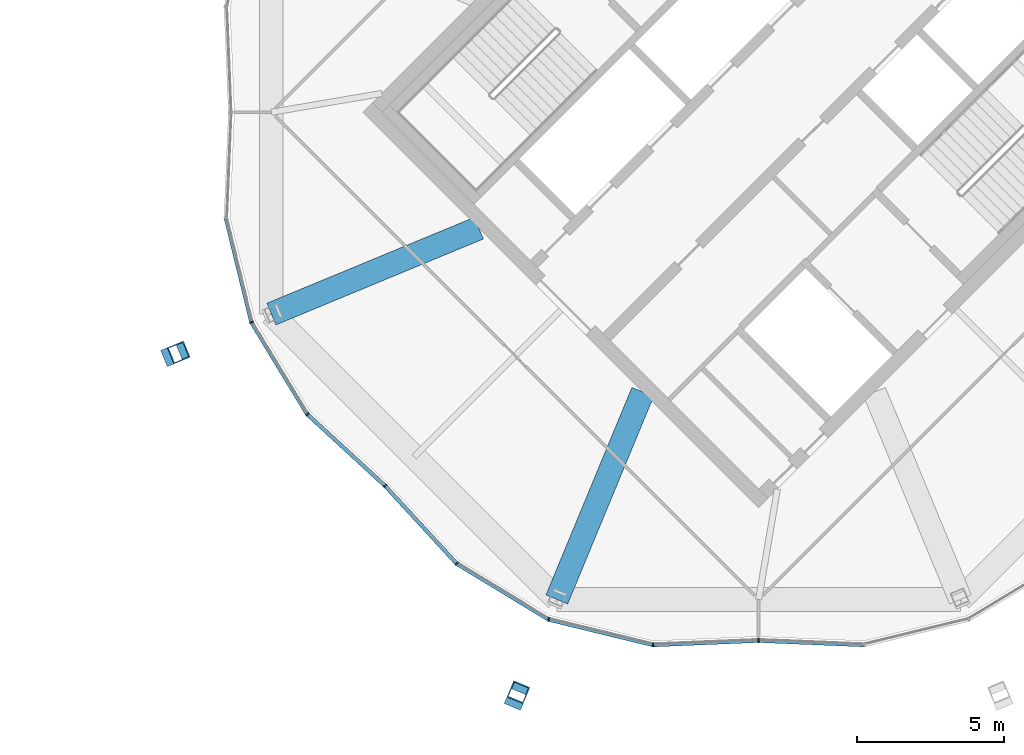
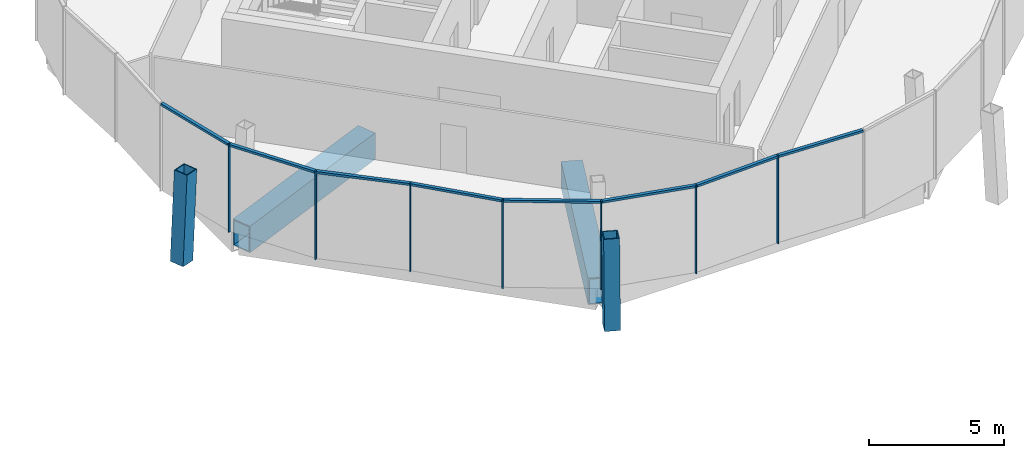
# One storey, part 8 of 22: 17 members, 2 beams, 3 elements without a shape of their own.
"""IFC4 building model written with IfcOpenShell, lengths in metres."""

from ifc_helpers import new_model, si_unit, direction, frame, origin, origin_2d, place, context, subcontext, project, spatial, rectangle, hollow_rectangle, extrude, material, material_profile, profile_set, type_object, element, aggregate, save


model = new_model("IFC4")

# Units and contexts
model_context = context("Model", 3, precision=1e-05, world=origin(), true_north=direction((0.0, 1.0)))
body_context = subcontext(model_context, "Body", "Model", "MODEL_VIEW")
ifc_project = project(units=[si_unit("LENGTHUNIT", "METRE"), si_unit("AREAUNIT", "SQUARE_METRE"), si_unit("VOLUMEUNIT", "CUBIC_METRE"), si_unit("PLANEANGLEUNIT", "RADIAN"), si_unit("MASSUNIT", "GRAM", prefix="KILO")], contexts=[model_context])

# Site, building, storey
site_placement = place(None, origin())
site = spatial("IfcSite", under=ifc_project, at=site_placement, CompositionType="ELEMENT")
building_placement = place(site_placement, origin())
building = spatial("IfcBuilding", under=site, at=building_placement, Name="Ogive Gate Towers", CompositionType="ELEMENT")
storey_placement = place(building_placement, frame((0.0, 0.0, 298.0)))
storey = spatial("IfcBuildingStorey", under=building, at=storey_placement, Name="L70", CompositionType="ELEMENT", Elevation=298.0)

# Curtain wall, members
ifc_material_1 = material(Name="Pale metal aluminium", Category="aluminium")
curtain_wall_type = type_object("IfcCurtainWallType", Name="Crown lean wall", PredefinedType="NOTDEFINED", material=ifc_material_1)
curtain_wall_1_placement = place(storey_placement, origin())
curtain_wall_1 = element("IfcCurtainWall", 1, at=curtain_wall_1_placement, inside=storey, type_object=curtain_wall_type, Name="CW5 T2 ECW05", PredefinedType="NOTDEFINED")
ifc_material_profile_1 = material_profile(ifc_material_1, rectangle(XDim=0.139892578125, YDim=0.050048828125, at=origin_2d()), Name="50 x 140 aluminium box")
ifc_profile_set_1 = profile_set([ifc_material_profile_1], Name="Pale metal aluminium")
member_type_1 = type_object("IfcMemberType", Name="Crown lean wall mullion 50 x 140", PredefinedType="MULLION", material=ifc_profile_set_1)
member_1_placement = place(storey_placement, frame((23.3154296875, -12.686279296875, -0.300048828125), z_axis=(0.0, 0.0, 1.0), x_axis=(0.677184245918, 0.735813493407, 0.0)))
member_1 = element("IfcMember", 2, at=member_1_placement, type_object=member_type_1, Name="CW5 mullion", PredefinedType="MULLION", context=body_context, shape_type="SweptSolid", body=[
    extrude(rectangle(XDim=0.139892578125, YDim=0.050048828125, at=origin_2d()), origin(), (0.0, 0.0, 1.0), 4.0),
])
member_2_placement = place(storey_placement, frame((20.674560546875, -10.255615234375, -0.300048828125), z_axis=(0.0, 0.0, 1.0), x_axis=(0.77351952775, 0.633772467207, 0.0)))
member_2 = element("IfcMember", 3, at=member_2_placement, type_object=member_type_1, Name="CW5 mullion", PredefinedType="MULLION", context=body_context, shape_type="SweptSolid", body=[
    extrude(rectangle(XDim=0.139892578125, YDim=0.050048828125, at=origin_2d()), origin(), (0.0, 0.0, 1.0), 4.0),
])
member_3_placement = place(storey_placement, frame((18.77783203125, -7.1337890625, -0.300048828125), z_axis=(0.0, 0.0, 1.0), x_axis=(0.923879532511, 0.382683432365, 0.0)))
member_3 = element("IfcMember", 4, at=member_3_placement, type_object=member_type_1, Name="CW5 mullion", PredefinedType="MULLION", context=body_context, shape_type="SweptSolid", body=[
    extrude(rectangle(XDim=0.139892578125, YDim=0.050048828125, at=origin_2d()), origin(), (0.0, 0.0, 1.0), 4.0),
])

curtain_wall_2_placement = place(storey_placement, origin())
curtain_wall_2 = element("IfcCurtainWall", 5, at=curtain_wall_2_placement, inside=storey, type_object=curtain_wall_type, Name="CW5 T2 ECW06", PredefinedType="NOTDEFINED")
member_4_placement = place(storey_placement, frame((36.001220703125, -17.940185546875, -0.300048828125), z_axis=(0.0, 0.0, 1.0), x_axis=(-0.041439700181, 0.99914100669, 0.0)))
member_4 = element("IfcMember", 6, at=member_4_placement, type_object=member_type_1, Name="CW5 mullion", PredefinedType="MULLION", context=body_context, shape_type="SweptSolid", body=[
    extrude(rectangle(XDim=0.139892578125, YDim=0.050048828125, at=origin_2d()), origin(), (0.0, 0.0, 1.0), 4.0),
])
member_5_placement = place(storey_placement, frame((32.414794921875, -18.088623046875, -0.300048828125), z_axis=(0.0, 0.0, 1.0), x_axis=(0.098833462017, 0.995103987926, 0.0)))
member_5 = element("IfcMember", 7, at=member_5_placement, type_object=member_type_1, Name="CW5 mullion", PredefinedType="MULLION", context=body_context, shape_type="SweptSolid", body=[
    extrude(rectangle(XDim=0.139892578125, YDim=0.050048828125, at=origin_2d()), origin(), (0.0, 0.0, 1.0), 4.0),
])
member_6_placement = place(storey_placement, frame((28.8662109375, -17.22216796875, -0.300048828125), z_axis=(0.0, 0.0, 1.0), x_axis=(0.382683432365, 0.923879532511, 0.0)))
member_6 = element("IfcMember", 8, at=member_6_placement, type_object=member_type_1, Name="CW5 mullion", PredefinedType="MULLION", context=body_context, shape_type="SweptSolid", body=[
    extrude(rectangle(XDim=0.139892578125, YDim=0.050048828125, at=origin_2d()), origin(), (0.0, 0.0, 1.0), 4.0),
])
member_7_placement = place(storey_placement, frame((25.744384765625, -15.325439453125, -0.300048828125), z_axis=(0.0, 0.0, 1.0), x_axis=(0.633772467207, 0.77351952775, 0.0)))
member_7 = element("IfcMember", 9, at=member_7_placement, type_object=member_type_1, Name="CW5 mullion", PredefinedType="MULLION", context=body_context, shape_type="SweptSolid", body=[
    extrude(rectangle(XDim=0.139892578125, YDim=0.050048828125, at=origin_2d()), origin(), (0.0, 0.0, 1.0), 4.0),
])

# Member
ifc_material_profile_2 = material_profile(ifc_material_1, rectangle(XDim=0.139892578125, YDim=0.10009765625, at=origin_2d()), Name="100 x 140 aluminium box")
ifc_profile_set_2 = profile_set([ifc_material_profile_2], Name="Pale metal aluminium")
member_type_2 = type_object("IfcMemberType", Name="Crown lean wall transom 100 x 140", PredefinedType="USERDEFINED", material=ifc_profile_set_2)
member_8_placement = place(storey_placement, frame((23.297119140625, -12.66943359375, 3.64990234375), z_axis=(-0.735814008941, 0.677183685751, 0.0), x_axis=(-0.677183685751, -0.735814008941, 0.0)))
member_8 = element("IfcMember", 10, at=member_8_placement, type_object=member_type_2, Name="CW5 transom", ObjectType="TRANSOM", PredefinedType="USERDEFINED", context=body_context, shape_type="SweptSolid", body=[
    extrude(rectangle(XDim=0.139892578125, YDim=0.10009765625, at=origin_2d()), origin(), (0.0, 0.0, 1.0), 3.535400390625),
])

member_9_placement = place(storey_placement, frame((20.6591796875, -10.230712890625, 3.64990234375), z_axis=(-0.519302475553, 0.854590509475, 0.0), x_axis=(-0.854590509475, -0.519302475553, 0.0)))
member_9 = element("IfcMember", 11, at=member_9_placement, type_object=member_type_2, Name="CW5 transom", ObjectType="TRANSOM", PredefinedType="USERDEFINED", context=body_context, shape_type="SweptSolid", body=[
    extrude(rectangle(XDim=0.139892578125, YDim=0.10009765625, at=origin_2d()), origin(), (0.0, 0.0, 1.0), 3.59423828125),
])

member_10_placement = place(storey_placement, frame((18.7705078125, -7.10498046875, 3.64990234375), z_axis=(-0.237145397056, 0.971474168805, 0.0), x_axis=(-0.971474168805, -0.237145397056, 0.0)))
member_10 = element("IfcMember", 12, at=member_10_placement, type_object=member_type_2, Name="CW5 transom", ObjectType="TRANSOM", PredefinedType="USERDEFINED", context=body_context, shape_type="SweptSolid", body=[
    extrude(rectangle(XDim=0.139892578125, YDim=0.10009765625, at=origin_2d()), origin(), (0.0, 0.0, 1.0), 3.593994140625),
])

aggregate(curtain_wall_1, [member_1, member_2, member_8, member_3, member_9, member_10])

member_11_placement = place(storey_placement, frame((35.976318359375, -17.941162109375, 3.64990234375), z_axis=(-0.999141192632, -0.041435216725, 0.0), x_axis=(0.041435216725, -0.999141192632, 0.0)))
member_11 = element("IfcMember", 13, at=member_11_placement, type_object=member_type_2, Name="CW5 transom", ObjectType="TRANSOM", PredefinedType="USERDEFINED", context=body_context, shape_type="SweptSolid", body=[
    extrude(rectangle(XDim=0.139892578125, YDim=0.10009765625, at=origin_2d()), origin(), (0.0, 0.0, 1.0), 3.53515625),
])

member_12_placement = place(storey_placement, frame((32.386474609375, -18.081787109375, 3.64990234375), z_axis=(-0.971474168805, 0.237145397056, 0.0), x_axis=(-0.237145397056, -0.971474168805, 0.0)))
member_12 = element("IfcMember", 14, at=member_12_placement, type_object=member_type_2, Name="CW5 transom", ObjectType="TRANSOM", PredefinedType="USERDEFINED", context=body_context, shape_type="SweptSolid", body=[
    extrude(rectangle(XDim=0.139892578125, YDim=0.10009765625, at=origin_2d()), origin(), (0.0, 0.0, 1.0), 3.593994140625),
])

member_13_placement = place(storey_placement, frame((28.8408203125, -17.207275390625, 3.64990234375), z_axis=(-0.854590509475, 0.519302475553, 0.0), x_axis=(-0.519302475553, -0.854590509475, 0.0)))
member_13 = element("IfcMember", 15, at=member_13_placement, type_object=member_type_2, Name="CW5 transom", ObjectType="TRANSOM", PredefinedType="USERDEFINED", context=body_context, shape_type="SweptSolid", body=[
    extrude(rectangle(XDim=0.139892578125, YDim=0.10009765625, at=origin_2d()), origin(), (0.0, 0.0, 1.0), 3.59423828125),
])

member_14_placement = place(storey_placement, frame((25.724609375, -15.30419921875, 3.64990234375), z_axis=(-0.677183685751, 0.735814008941, 0.0), x_axis=(-0.735814008941, -0.677183685751, 0.0)))
member_14 = element("IfcMember", 16, at=member_14_placement, type_object=member_type_2, Name="CW5 transom", ObjectType="TRANSOM", PredefinedType="USERDEFINED", context=body_context, shape_type="SweptSolid", body=[
    extrude(rectangle(XDim=0.139892578125, YDim=0.10009765625, at=origin_2d()), origin(), (0.0, 0.0, 1.0), 3.535400390625),
])

aggregate(curtain_wall_2, [member_4, member_5, member_11, member_6, member_12, member_7, member_13, member_14])

# Curtain wall, member
curtain_wall_3_placement = place(storey_placement, origin())
curtain_wall_3 = element("IfcCurtainWall", 17, at=curtain_wall_3_placement, inside=storey, type_object=curtain_wall_type, Name="CW5 T2 ECW07", PredefinedType="NOTDEFINED")
member_15_placement = place(storey_placement, frame((39.555908203125, -18.087646484375, 3.64990234375), z_axis=(-0.999141192632, 0.041435216725, 0.0), x_axis=(-0.041435216725, -0.999141192632, 0.0)))
member_15 = element("IfcMember", 18, at=member_15_placement, type_object=member_type_2, Name="CW5 transom", ObjectType="TRANSOM", PredefinedType="USERDEFINED", context=body_context, shape_type="SweptSolid", body=[
    extrude(rectangle(XDim=0.139892578125, YDim=0.10009765625, at=origin_2d()), origin(), (0.0, 0.0, 1.0), 3.53515625),
])
aggregate(curtain_wall_3, [member_15])

# Members
ifc_material_2 = material(Name="Steel SM460", Category="steel")
ifc_material_profile_3 = material_profile(ifc_material_2, hollow_rectangle(XDim=0.60009765625, YDim=0.60009765625, WallThickness=0.0400390625, at=origin_2d()), Name="BX 600x600x40")
ifc_profile_set_3 = profile_set([ifc_material_profile_3], Name="Steel SM460")
member_type_3 = type_object("IfcMemberType", Name="Crown rib BX 600x600x40", PredefinedType="MEMBER", material=ifc_profile_set_3)
for number, where, z_axis, x_axis, name in (
    (19, (16.080810546875, -8.250732421875, 0.0), (0.056413137875, 0.023332863722, 0.99813482824), (-0.382204885379, 0.924077607992, 0.0), "T2/L70/STR005"),
    (20, (27.749267578125, -19.919189453125, 0.0), (0.023332863722, 0.056413137875, 0.99813482824), (-0.924077607992, 0.382204885379, 0.0), "T2/L70/STR006"),
):
    element("IfcMember", number, at=place(storey_placement, frame(where, z_axis=z_axis, x_axis=x_axis)), inside=storey, type_object=member_type_3, Name=name, PredefinedType="MEMBER", context=body_context, shape_type="SweptSolid", body=[
        extrude(hollow_rectangle(XDim=0.60009765625, YDim=0.60009765625, WallThickness=0.0400390625, at=origin_2d()), origin(), (0.0, 0.0, 1.0), 4.007568359375),
    ])

# Beams
ifc_material_profile_4 = material_profile(ifc_material_2, hollow_rectangle(XDim=0.800048828125, YDim=1.199951171875, WallThickness=0.050048828125, at=origin_2d()), Name="BX 1200x800x50")
ifc_profile_set_4 = profile_set([ifc_material_profile_4], Name="Steel SM460")
beam_type = type_object("IfcBeamType", Name="Transfer radial beam BX 1200x800x50", PredefinedType="BEAM", material=ifc_profile_set_4)
for number, where, z_axis, x_axis, name in (
    (21, (26.5, -3.93505859375, -0.89990234375), (-0.923884580387, -0.382671245488, 0.0), (0.382671245488, -0.923884580387, 0.0), "T2/L70/SBM001"),
    (22, (32.06494140625, -9.5, -0.89990234375), (-0.382671245488, -0.923884580387, 0.0), (0.923884580387, -0.382671245488, 0.0), "T2/L70/SBM003"),
):
    element("IfcBeam", number, at=place(storey_placement, frame(where, z_axis=z_axis, x_axis=x_axis)), inside=storey, type_object=beam_type, Name=name, PredefinedType="BEAM", context=body_context, shape_type="SweptSolid", body=[
        extrude(hollow_rectangle(XDim=0.800048828125, YDim=1.199951171875, WallThickness=0.050048828125, at=origin_2d()), origin(), (0.0, 0.0, 1.0), 7.627197265625),
    ])

save(model, "model.ifc")
